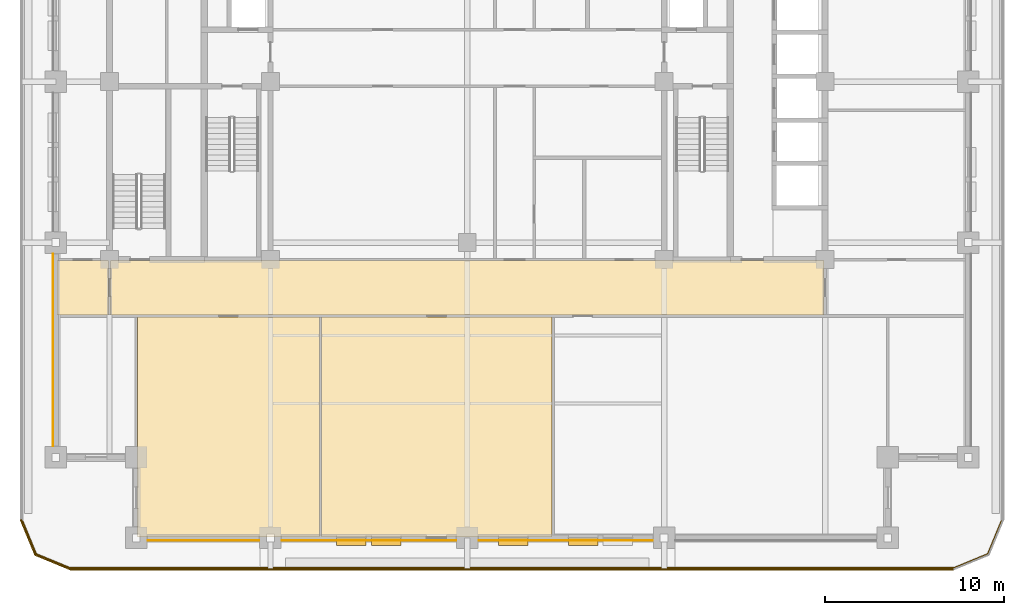
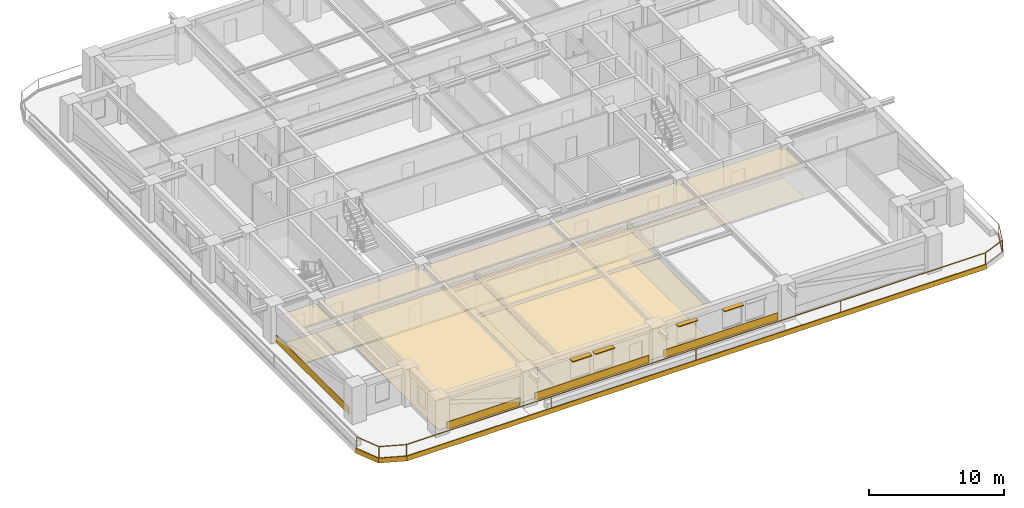
# One storey, part 8 of 14: 15 coverings, 4 shading devices, 1 railing.
"""IFC4 building model written with IfcOpenShell, lengths in metres."""

from ifc_helpers import new_model, si_unit, direction, frame, frame_2d, origin, origin_2d, place, context, subcontext, project, spatial, polyline, rectangle, outline, extrude, material, layer, layer_set, type_object, element, save


model = new_model("IFC4")

# Units and contexts
model_context = context("Model", 3, precision=1e-05, world=origin(), true_north=direction((0.0, 1.0)))
body_context = subcontext(model_context, "Body", "Model", "MODEL_VIEW")
ifc_project = project(units=[si_unit("LENGTHUNIT", "METRE"), si_unit("AREAUNIT", "SQUARE_METRE"), si_unit("VOLUMEUNIT", "CUBIC_METRE"), si_unit("PLANEANGLEUNIT", "RADIAN"), si_unit("MASSUNIT", "GRAM", prefix="KILO")], contexts=[model_context])

# Site, building, storey
site_placement = place(None, origin())
site = spatial("IfcSite", under=ifc_project, at=site_placement, CompositionType="ELEMENT")
building_placement = place(site_placement, origin())
building = spatial("IfcBuilding", under=site, at=building_placement, Name="Zulmaris Gate Convention Tower", CompositionType="ELEMENT")
storey_placement = place(building_placement, frame((0.0, 0.0, 102.06982421875)))
storey = spatial("IfcBuildingStorey", under=building, at=storey_placement, Name="L25", CompositionType="ELEMENT", Elevation=102.06982421875)

# Coverings
ifc_material_1 = material(Name="Precast concrete C40/50", Category="concrete")
ifc_layer_1 = layer(ifc_material_1, 0.0400390625, Name="Precast concrete C40/50")
ifc_layer_set_1 = layer_set([ifc_layer_1], Name="Precast concrete C40/50")
covering_type_1 = type_object("IfcCoveringType", Name="CLAD-SPANDREL-PRECAST", PredefinedType="CLADDING", material=ifc_layer_set_1)
covering_1_placement = place(storey_placement, frame((-17.8701171875, -25.64990234375, 0.0), z_axis=(0.0, 0.0, 1.0), x_axis=(1.0, 0.0, 0.0)))
element("IfcCovering", 1, at=covering_1_placement, inside=storey, type_object=covering_type_1, Name="CLD-L25-S-0_0", PredefinedType="CLADDING", context=body_context, shape_type="SweptSolid", body=[
    extrude(rectangle(XDim=6.240234375, YDim=0.0400390625, at=frame_2d((3.1201171875, 0.0))), origin(), (0.0, 0.0, 1.0), 0.679931640625),
])
for number, where, z_axis, x_axis, name in (
    (2, (-10.3701171875, -25.64990234375, 0.0), (0.0, 0.0, 1.0), (1.0, 0.0, 0.0), "CLD-L25-S-1_0"),
    (3, (0.6298828125, -25.64990234375, 0.0), (0.0, 0.0, 1.0), (1.0, 0.0, 0.0), "CLD-L25-S-2_0"),
):
    element("IfcCovering", number, at=place(storey_placement, frame(where, z_axis=z_axis, x_axis=x_axis)), inside=storey, type_object=covering_type_1, Name=name, PredefinedType="CLADDING", context=body_context, shape_type="SweptSolid", body=[
        extrude(rectangle(XDim=9.740234375, YDim=0.0400390625, at=frame_2d((4.8701171875, 0.0))), origin(), (0.0, 0.0, 1.0), 0.679931640625),
    ])
covering_2_placement = place(storey_placement, frame((-23.14990234375, -9.6298828125, 0.0), z_axis=(0.0, 0.0, 1.0), x_axis=(0.0, -1.0, 0.0)))
element("IfcCovering", 4, at=covering_2_placement, inside=storey, type_object=covering_type_1, Name="CLD-L25-W-0_0", PredefinedType="CLADDING", context=body_context, shape_type="SweptSolid", body=[
    extrude(rectangle(XDim=10.740234375, YDim=0.0400390625, at=frame_2d((5.3701171875, 0.0))), origin(), (0.0, 0.0, 1.0), 0.679931640625),
])
ifc_material_2 = material(Name="White Glazed Architectural Precast Concrete C40/50", Category="concrete")
ifc_layer_2 = layer(ifc_material_2, 0.080078125, Name="White Glazed Architectural Precast Concrete C40/50")
ifc_layer_set_2 = layer_set([ifc_layer_2], Name="White Glazed Architectural Precast Concrete C40/50")
covering_type_2 = type_object("IfcCoveringType", Name="CLAD-TRAY-FASCIA", PredefinedType="CLADDING", material=ifc_layer_set_2)
covering_3_placement = place(storey_placement, frame((-24.962890625, -24.484619140625, -0.31494140625), z_axis=(0.0, 0.0, 1.0), x_axis=(0.382656984709, -0.923890487046, 0.0)))
element("IfcCovering", 5, at=covering_3_placement, inside=storey, type_object=covering_type_2, Name="FSC-L25-TR-00", PredefinedType="CLADDING", context=body_context, shape_type="SweptSolid", body=[
    extrude(rectangle(XDim=2.14306640625, YDim=0.080078125, at=frame_2d((1.071533203125, 0.0))), origin(), (0.0, 0.0, 1.0), 0.43994140625),
])
covering_4_placement = place(storey_placement, frame((-24.16455078125, -26.44287109375, -0.31494140625), z_axis=(0.0, 0.0, 1.0), x_axis=(0.923873803533, -0.382697263049, 0.0)))
element("IfcCovering", 6, at=covering_4_placement, inside=storey, type_object=covering_type_2, Name="FSC-L25-TR-01", PredefinedType="CLADDING", context=body_context, shape_type="SweptSolid", body=[
    extrude(rectangle(XDim=2.142822265625, YDim=0.080078125, at=frame_2d((1.0712890625, 0.0))), origin(), (0.0, 0.0, 1.0), 0.43994140625),
])
covering_5_placement = place(storey_placement, frame((-22.199951171875, -27.260009765625, -0.31494140625), z_axis=(0.0, 0.0, 1.0), x_axis=(1.0, 0.0, 0.0)))
element("IfcCovering", 7, at=covering_5_placement, inside=storey, type_object=covering_type_2, Name="FSC-L25-TR-02", PredefinedType="CLADDING", context=body_context, shape_type="SweptSolid", body=[
    extrude(rectangle(XDim=49.39990234375, YDim=0.080078125, at=frame_2d((24.699951171875, 0.0))), origin(), (0.0, 0.0, 1.0), 0.43994140625),
])
ifc_material_3 = material(Name="Mineral Fibre Acoustic Ceiling Tile")
ifc_layer_3 = layer(ifc_material_3, 0.02001953125, Name="Mineral Fibre Acoustic Ceiling Tile")
ifc_layer_set_3 = layer_set([ifc_layer_3], Name="Mineral Fibre Acoustic Ceiling Tile")
covering_type_3 = type_object("IfcCoveringType", Name="CLG-ACOUSTIC-600", PredefinedType="CEILING", material=ifc_layer_set_3)
covering_6_placement = place(storey_placement, frame((0.0, 0.0, 2.778076171875)))
element("IfcCovering", 8, at=covering_6_placement, inside=storey, type_object=covering_type_3, Name="CLG-L25-R33", PredefinedType="CEILING", context=body_context, shape_type="SweptSolid", body=[
    extrude(outline(polyline([(-19.93994140625, -13.0400390625), (19.93994140625, -13.0400390625), (19.93994140625, -10.010009765625), (-19.93994140625, -10.010009765625), (-19.93994140625, -13.0400390625)])), origin(), (0.0, 0.0, 1.0), 0.02001953125),
])
covering_7_placement = place(storey_placement, frame((0.0, 0.0, 2.68017578125)))
element("IfcCovering", 9, at=covering_7_placement, inside=storey, type_object=covering_type_3, Name="CLG-L25-R43", PredefinedType="CEILING", context=body_context, shape_type="SweptSolid", body=[
    extrude(outline(polyline([(-18.43994140625, -25.43994140625), (-8.260009765625, -25.43994140625), (-8.260009765625, -13.159912109375), (-18.43994140625, -13.159912109375), (-18.43994140625, -25.43994140625)])), origin(), (0.0, 0.0, 1.0), 0.02001953125),
])
covering_8_placement = place(storey_placement, frame((0.0, 0.0, 2.68017578125)))
element("IfcCovering", 10, at=covering_8_placement, inside=storey, type_object=covering_type_3, Name="CLG-L25-R44", PredefinedType="CEILING", context=body_context, shape_type="SweptSolid", body=[
    extrude(outline(polyline([(-8.139892578125, -25.43994140625), (4.739990234375, -25.43994140625), (4.739990234375, -13.159912109375), (-8.139892578125, -13.159912109375), (-8.139892578125, -25.43994140625)])), origin(), (0.0, 0.0, 1.0), 0.02001953125),
])
covering_9_placement = place(storey_placement, frame((0.0, 0.0, 2.68017578125)))
element("IfcCovering", 11, at=covering_9_placement, inside=storey, type_object=covering_type_3, Name="CLG-L25-R54", PredefinedType="CEILING", context=body_context, shape_type="SweptSolid", body=[
    extrude(outline(polyline([(-22.93994140625, -13.0400390625), (-20.06005859375, -13.0400390625), (-20.06005859375, -10.010009765625), (-22.93994140625, -10.010009765625), (-22.93994140625, -13.0400390625)])), origin(), (0.0, 0.0, 1.0), 0.02001953125),
])
ifc_material_4 = material(Name="Woven Acoustic Wool Carpet Tile")
ifc_layer_4 = layer(ifc_material_4, 0.02001953125, Name="Woven Acoustic Wool Carpet Tile")
ifc_layer_set_4 = layer_set([ifc_layer_4], Name="Woven Acoustic Wool Carpet Tile")
covering_type_4 = type_object("IfcCoveringType", Name="FLR-CARPET-12", PredefinedType="FLOORING", material=ifc_layer_set_4)
covering_10_placement = place(storey_placement, origin())
element("IfcCovering", 12, at=covering_10_placement, inside=storey, type_object=covering_type_4, Name="FLR-L25-R33", PredefinedType="FLOORING", context=body_context, shape_type="SweptSolid", body=[
    extrude(outline(polyline([(-19.93994140625, -13.0400390625), (19.93994140625, -13.0400390625), (19.93994140625, -10.010009765625), (-19.93994140625, -10.010009765625), (-19.93994140625, -13.0400390625)])), origin(), (0.0, 0.0, 1.0), 0.02001953125),
])
covering_11_placement = place(storey_placement, origin())
element("IfcCovering", 13, at=covering_11_placement, inside=storey, type_object=covering_type_4, Name="FLR-L25-R43", PredefinedType="FLOORING", context=body_context, shape_type="SweptSolid", body=[
    extrude(outline(polyline([(-18.43994140625, -25.43994140625), (-8.260009765625, -25.43994140625), (-8.260009765625, -13.159912109375), (-18.43994140625, -13.159912109375), (-18.43994140625, -25.43994140625)])), origin(), (0.0, 0.0, 1.0), 0.02001953125),
])
covering_12_placement = place(storey_placement, origin())
element("IfcCovering", 14, at=covering_12_placement, inside=storey, type_object=covering_type_4, Name="FLR-L25-R44", PredefinedType="FLOORING", context=body_context, shape_type="SweptSolid", body=[
    extrude(outline(polyline([(-8.139892578125, -25.43994140625), (4.739990234375, -25.43994140625), (4.739990234375, -13.159912109375), (-8.139892578125, -13.159912109375), (-8.139892578125, -25.43994140625)])), origin(), (0.0, 0.0, 1.0), 0.02001953125),
])
covering_13_placement = place(storey_placement, origin())
element("IfcCovering", 15, at=covering_13_placement, inside=storey, type_object=covering_type_4, Name="FLR-L25-R54", PredefinedType="FLOORING", context=body_context, shape_type="SweptSolid", body=[
    extrude(outline(polyline([(-22.93994140625, -13.0400390625), (-20.06005859375, -13.0400390625), (-20.06005859375, -10.010009765625), (-22.93994140625, -10.010009765625), (-22.93994140625, -13.0400390625)])), origin(), (0.0, 0.0, 1.0), 0.02001953125),
])

# Railing
ifc_material_5 = material(Name="Laminated Glass and Stainless Steel", Category="steel")
railing_type = type_object("IfcRailingType", Name="RL-BALC-1150", PredefinedType="BALUSTRADE", material=ifc_material_5)
railing_placement = place(storey_placement, frame((-24.8798828125, -24.5, -0.034912109375)))
element("IfcRailing", 16, at=railing_placement, inside=storey, type_object=railing_type, Name="RL-L25-BALC-S", PredefinedType="BALUSTRADE", context=body_context, shape_type="SweptSolid", body=[
    extrude(rectangle(XDim=0.048095703125, YDim=0.048095703125, at=origin_2d()), frame((0.0, 0.0, 1.1259765625), z_axis=(0.382670664694, -0.92388482095, 0.0), x_axis=(0.92388482095, 0.382670664694, 0.0)), (0.0, 0.0, 1.0), 2.051025390625),
    extrude(rectangle(XDim=0.048095703125, YDim=0.048095703125, at=origin_2d()), frame((0.0, 0.0, 0.02392578125), z_axis=(0.382670664694, -0.92388482095, 0.0), x_axis=(0.92388482095, 0.382670664694, 0.0)), (0.0, 0.0, 1.0), 2.051025390625),
    extrude(rectangle(XDim=0.048095703125, YDim=0.048095703125, at=origin_2d()), frame((0.784912109375, -1.89501953125, 1.1259765625), z_axis=(0.92388482095, -0.382670664694, 0.0), x_axis=(0.382670664694, 0.92388482095, 0.0)), (0.0, 0.0, 1.0), 2.051025390625),
    extrude(rectangle(XDim=0.048095703125, YDim=0.048095703125, at=origin_2d()), frame((0.784912109375, -1.89501953125, 0.02392578125), z_axis=(0.92388482095, -0.382670664694, 0.0), x_axis=(0.382670664694, 0.92388482095, 0.0)), (0.0, 0.0, 1.0), 2.051025390625),
    extrude(rectangle(XDim=0.048095703125, YDim=0.048095703125, at=origin_2d()), frame((2.679931640625, -2.679931640625, 1.1259765625), z_axis=(1.0, 0.0, 0.0), x_axis=(0.0, 1.0, 0.0)), (0.0, 0.0, 1.0), 49.39990234375),
    extrude(rectangle(XDim=0.048095703125, YDim=0.048095703125, at=origin_2d()), frame((2.679931640625, -2.679931640625, 0.02392578125), z_axis=(1.0, 0.0, 0.0), x_axis=(0.0, 1.0, 0.0)), (0.0, 0.0, 1.0), 49.39990234375),
    extrude(rectangle(XDim=0.048095703125, YDim=0.048095703125, at=origin_2d()), frame((52.079833984375, -2.679931640625, 1.1259765625), z_axis=(0.92388482095, 0.382670664694, 0.0), x_axis=(-0.382670664694, 0.92388482095, 0.0)), (0.0, 0.0, 1.0), 2.051025390625),
    extrude(rectangle(XDim=0.048095703125, YDim=0.048095703125, at=origin_2d()), frame((52.079833984375, -2.679931640625, 0.02392578125), z_axis=(0.92388482095, 0.382670664694, 0.0), x_axis=(-0.382670664694, 0.92388482095, 0.0)), (0.0, 0.0, 1.0), 2.051025390625),
    extrude(rectangle(XDim=0.048095703125, YDim=0.048095703125, at=origin_2d()), frame((53.974853515625, -1.89501953125, 1.1259765625), z_axis=(0.382670664694, 0.92388482095, 0.0), x_axis=(-0.92388482095, 0.382670664694, 0.0)), (0.0, 0.0, 1.0), 2.051025390625),
    extrude(rectangle(XDim=0.048095703125, YDim=0.048095703125, at=origin_2d()), frame((53.974853515625, -1.89501953125, 0.02392578125), z_axis=(0.382670664694, 0.92388482095, 0.0), x_axis=(-0.92388482095, 0.382670664694, 0.0)), (0.0, 0.0, 1.0), 2.051025390625),
    extrude(rectangle(XDim=0.0419921875, YDim=0.0419921875, at=origin_2d()), origin(), (0.0, 0.0, 1.0), 1.101806640625),
    extrude(rectangle(XDim=0.0419921875, YDim=0.0419921875, at=origin_2d()), frame((0.784912109375, -1.89501953125, 0.0)), (0.0, 0.0, 1.0), 1.101806640625),
    extrude(rectangle(XDim=0.0419921875, YDim=0.0419921875, at=origin_2d()), frame((2.679931640625, -2.679931640625, 0.0)), (0.0, 0.0, 1.0), 1.101806640625),
    extrude(rectangle(XDim=0.0419921875, YDim=0.0419921875, at=origin_2d()), frame((15.02978515625, -2.679931640625, 0.0)), (0.0, 0.0, 1.0), 1.101806640625),
    extrude(rectangle(XDim=0.0419921875, YDim=0.0419921875, at=origin_2d()), frame((27.3798828125, -2.679931640625, 0.0)), (0.0, 0.0, 1.0), 1.101806640625),
    extrude(rectangle(XDim=0.0419921875, YDim=0.0419921875, at=origin_2d()), frame((39.72998046875, -2.679931640625, 0.0)), (0.0, 0.0, 1.0), 1.101806640625),
    extrude(rectangle(XDim=0.0419921875, YDim=0.0419921875, at=origin_2d()), frame((52.079833984375, -2.679931640625, 0.0)), (0.0, 0.0, 1.0), 1.101806640625),
    extrude(rectangle(XDim=0.0419921875, YDim=0.0419921875, at=origin_2d()), frame((53.974853515625, -1.89501953125, 0.0)), (0.0, 0.0, 1.0), 1.101806640625),
    extrude(rectangle(XDim=0.0419921875, YDim=0.0419921875, at=origin_2d()), frame((54.759765625, 0.0, 0.0)), (0.0, 0.0, 1.0), 1.101806640625),
])

# Shading devices
ifc_material_6 = material(Name="Glazed Ceramic Terracotta", Category="masonry")
ifc_layer_5 = layer(ifc_material_6, 0.070068359375, Name="Glazed Ceramic Terracotta")
ifc_layer_set_5 = layer_set([ifc_layer_5], Name="Glazed Ceramic Terracotta")
shading_device_type = type_object("IfcShadingDeviceType", Name="SHD-SUNSHADE-TC", PredefinedType="AWNING", material=ifc_layer_set_5)
for number, where, z_axis, x_axis, name in (
    (17, (-7.299072265625, -25.719970703125, 2.530029296875), (0.0, 0.0, 1.0), (1.0, 0.0, 0.0), "SHD-EW-L25-S-1_0-2"),
    (18, (-5.35107421875, -25.719970703125, 2.530029296875), (0.0, 0.0, 1.0), (1.0, 0.0, 0.0), "SHD-EW-L25-S-1_0-3"),
    (19, (1.7529296875, -25.719970703125, 2.530029296875), (0.0, 0.0, 1.0), (1.0, 0.0, 0.0), "SHD-EW-L25-S-2_0-1"),
    (20, (5.64892578125, -25.719970703125, 2.530029296875), (0.0, 0.0, 1.0), (1.0, 0.0, 0.0), "SHD-EW-L25-S-2_0-3"),
):
    element("IfcShadingDevice", number, at=place(storey_placement, frame(where, z_axis=z_axis, x_axis=x_axis)), inside=storey, type_object=shading_device_type, Name=name, PredefinedType="AWNING", context=body_context, shape_type="SweptSolid", body=[
        extrude(rectangle(XDim=1.650146484375, YDim=0.43994140625, at=frame_2d((0.8251953125, 0.0))), origin(), (0.0, 0.0, 1.0), 0.070068359375),
    ])

save(model, "model.ifc")
